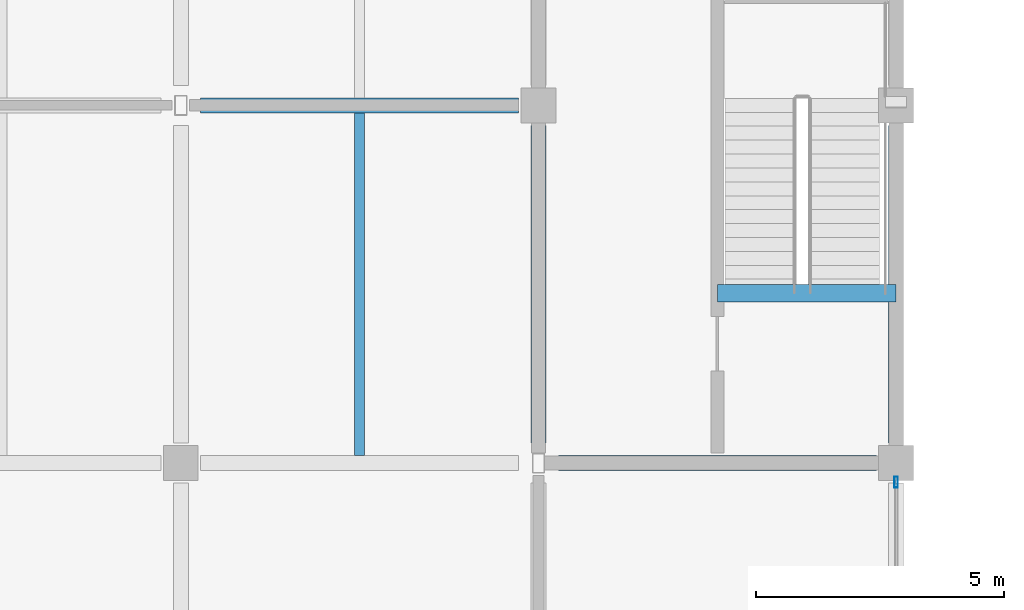
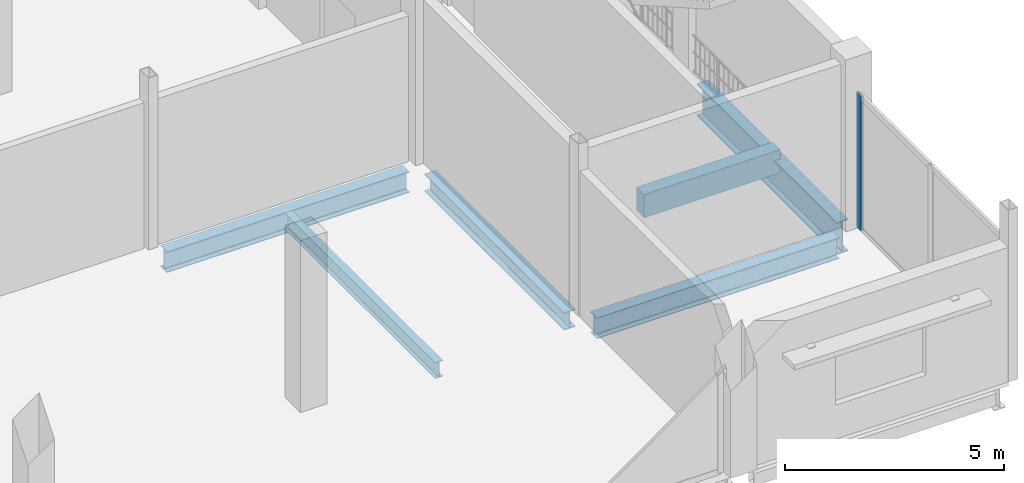
# One storey, part 68 of 120: 6 beams, 1 member, 1 element without a shape of its own.
"""IFC4 building model written with IfcOpenShell, lengths in metres."""

from ifc_helpers import new_model, si_unit, direction, frame, origin, origin_2d, place, context, subcontext, project, spatial, rectangle, hollow_rectangle, i_section, extrude, material, material_profile, profile_set, type_object, element, aggregate, save


model = new_model("IFC4")

# Units and contexts
model_context = context("Model", 3, precision=1e-05, world=origin(), true_north=direction((0.0, 1.0)))
body_context = subcontext(model_context, "Body", "Model", "MODEL_VIEW")
ifc_project = project(units=[si_unit("LENGTHUNIT", "METRE"), si_unit("AREAUNIT", "SQUARE_METRE"), si_unit("VOLUMEUNIT", "CUBIC_METRE"), si_unit("PLANEANGLEUNIT", "RADIAN"), si_unit("MASSUNIT", "GRAM", prefix="KILO")], contexts=[model_context])

# Site, building, storey
site_placement = place(None, origin())
site = spatial("IfcSite", under=ifc_project, at=site_placement, CompositionType="ELEMENT")
building_placement = place(site_placement, origin())
building = spatial("IfcBuilding", under=site, at=building_placement, Name="Vesperath Aquatics Centre", CompositionType="ELEMENT")
storey_placement = place(building_placement, frame((0.0, 0.0, 10.199951171875)))
storey = spatial("IfcBuildingStorey", under=building, at=storey_placement, Name="L02", CompositionType="ELEMENT", Elevation=10.199951171875)

# Beams
ifc_material_1 = material(Name="Concrete C35", Category="concrete")
ifc_material_profile_1 = material_profile(ifc_material_1, rectangle(XDim=0.35009765625, YDim=0.64990234375, at=origin_2d()), Name="RC 350x650")
ifc_profile_set_1 = profile_set([ifc_material_profile_1], Name="Concrete C35")
beam_type_1 = type_object("IfcBeamType", Name="BM-G05", PredefinedType="BEAM", material=ifc_profile_set_1)
beam_1_placement = place(storey_placement, frame((169.199951171875, 10.6201171875, -0.324951171875), z_axis=(1.0, 0.0, 0.0), x_axis=(0.0, 1.0, 0.0)))
element("IfcBeam", 1, at=beam_1_placement, inside=storey, type_object=beam_type_1, Name="Stair ST6 Landing Trimmer Beam B05 L02", PredefinedType="BEAM", context=body_context, shape_type="SweptSolid", body=[
    extrude(rectangle(XDim=0.35009765625, YDim=0.64990234375, at=origin_2d()), origin(), (0.0, 0.0, 1.0), 3.60009765625),
])
ifc_material_2 = material(Name="Steel Q355D", Category="steel")
ifc_material_profile_2 = material_profile(ifc_material_2, i_section(OverallWidth=0.300048828125, OverallDepth=0.89990234375, WebThickness=0.01611328125, FlangeThickness=0.028076171875, FilletRadius=0.028076171875, at=origin_2d()), Name="HN 900x300x16x28")
ifc_profile_set_2 = profile_set([ifc_material_profile_2], Name="Steel Q355D")
beam_type_2 = type_object("IfcBeamType", Name="BM-G06", PredefinedType="BEAM", material=ifc_profile_set_2)
beam_2_placement = place(storey_placement, frame((172.800048828125, 7.60009765625, -0.7099609375), z_axis=(0.0, 1.0, 0.0), x_axis=(-1.0, 0.0, 0.0)))
element("IfcBeam", 2, at=beam_2_placement, inside=storey, type_object=beam_type_2, Name="Floor Girder B06 L02 25 B-C", PredefinedType="BEAM", context=body_context, shape_type="SweptSolid", body=[
    extrude(i_section(OverallWidth=0.300048828125, OverallDepth=0.89990234375, WebThickness=0.01611328125, FlangeThickness=0.028076171875, FilletRadius=0.028076171875, at=origin_2d()), origin(), (0.0, 0.0, 1.0), 6.39990234375),
])
ifc_material_3 = material(Name="Steel Q355C", Category="steel")
ifc_material_profile_3 = material_profile(ifc_material_3, i_section(OverallWidth=0.300048828125, OverallDepth=0.587890625, WebThickness=0.011962890625, FlangeThickness=0.02001953125, FilletRadius=0.028076171875, at=origin_2d()), Name="HM 588x300x12x20")
ifc_profile_set_3 = profile_set([ifc_material_profile_3], Name="Steel Q355C")
beam_type_3 = type_object("IfcBeamType", Name="BM-G09", PredefinedType="BEAM", material=ifc_profile_set_3)
for number, where, z_axis, x_axis, name in (
    (3, (158.800048828125, 14.39990234375, -0.553955078125), (1.0, 0.0, 0.0), (0.0, 1.0, 0.0), "Floor Girder B09 L02 C 23-24"),
    (4, (166.0, 7.199951171875, -0.553955078125), (1.0, 0.0, 0.0), (0.0, 1.0, 0.0), "Floor Girder B09 L02 B 24-25"),
):
    element("IfcBeam", number, at=place(storey_placement, frame(where, z_axis=z_axis, x_axis=x_axis)), inside=storey, type_object=beam_type_3, Name=name, PredefinedType="BEAM", context=body_context, shape_type="SweptSolid", body=[
        extrude(i_section(OverallWidth=0.300048828125, OverallDepth=0.587890625, WebThickness=0.011962890625, FlangeThickness=0.02001953125, FilletRadius=0.028076171875, at=origin_2d()), origin(), (0.0, 0.0, 1.0), 6.39990234375),
    ])
ifc_material_profile_4 = material_profile(ifc_material_3, i_section(OverallWidth=0.300048828125, OverallDepth=0.488037109375, WebThickness=0.010986328125, FlangeThickness=0.01806640625, FilletRadius=0.02587890625, at=origin_2d()), Name="HM 488x300x11x18")
ifc_profile_set_4 = profile_set([ifc_material_profile_4], Name="Steel Q355C")
beam_type_4 = type_object("IfcBeamType", Name="BM-G10", PredefinedType="BEAM", material=ifc_profile_set_4)
beam_3_placement = place(storey_placement, frame((165.60009765625, 7.60009765625, -0.50390625), z_axis=(0.0, 1.0, 0.0), x_axis=(-1.0, 0.0, 0.0)))
element("IfcBeam", 5, at=beam_3_placement, inside=storey, type_object=beam_type_4, Name="Floor Girder B10 L02 24 B-C", PredefinedType="BEAM", context=body_context, shape_type="SweptSolid", body=[
    extrude(i_section(OverallWidth=0.300048828125, OverallDepth=0.488037109375, WebThickness=0.010986328125, FlangeThickness=0.01806640625, FilletRadius=0.02587890625, at=origin_2d()), origin(), (0.0, 0.0, 1.0), 6.39990234375),
])
ifc_material_profile_5 = material_profile(ifc_material_3, i_section(OverallWidth=0.199951171875, OverallDepth=0.449951171875, WebThickness=0.009033203125, FlangeThickness=0.013916015625, FilletRadius=0.01611328125, at=origin_2d()), Name="HN 450x200x9x14")
ifc_profile_set_5 = profile_set([ifc_material_profile_5], Name="Steel Q355C")
beam_type_5 = type_object("IfcBeamType", Name="BM-J03", PredefinedType="JOIST", material=ifc_profile_set_5)
beam_4_placement = place(storey_placement, frame((162.0, 7.35009765625, -0.48486328125), z_axis=(0.0, 1.0, 0.0), x_axis=(-1.0, 0.0, 0.0)))
element("IfcBeam", 6, at=beam_4_placement, inside=storey, type_object=beam_type_5, Name="Secondary Floor Joist J03 L02 23/B", PredefinedType="JOIST", context=body_context, shape_type="SweptSolid", body=[
    extrude(i_section(OverallWidth=0.199951171875, OverallDepth=0.449951171875, WebThickness=0.009033203125, FlangeThickness=0.013916015625, FilletRadius=0.01611328125, at=origin_2d()), origin(), (0.0, 0.0, 1.0), 6.89990234375),
])

# Curtain wall, member
ifc_material_4 = material(Name="Thermally broken anodised bronze aluminium curtain wall", Category="aluminium")
curtain_wall_type = type_object("IfcCurtainWallType", Name="CW-06", PredefinedType="NOTDEFINED", material=ifc_material_4)
curtain_wall_placement = place(storey_placement, origin())
curtain_wall = element("IfcCurtainWall", 7, at=curtain_wall_placement, inside=storey, type_object=curtain_wall_type, Name="Facade Curtain Wall CW06 L02_E_24_00", PredefinedType="NOTDEFINED")
ifc_material_5 = material(Name="Thermally broken anodised aluminium", Category="aluminium")
ifc_material_profile_6 = material_profile(ifc_material_5, hollow_rectangle(XDim=0.070068359375, YDim=0.219970703125, WallThickness=0.0048828125, at=origin_2d()), Name="CWM 70x220x5")
ifc_profile_set_6 = profile_set([ifc_material_profile_6], Name="Thermally broken anodised aluminium")
member_type = type_object("IfcMemberType", Name="MB-CWM2", PredefinedType="MULLION", material=ifc_profile_set_6)
member_placement = place(storey_placement, frame((172.800048828125, 6.81494140625, 0.0), z_axis=(0.0, 0.0, 1.0), x_axis=(-1.0, 0.0, 0.0)))
member = element("IfcMember", 8, at=member_placement, type_object=member_type, Name="CW06 mullion 3", PredefinedType="MULLION", context=body_context, shape_type="SweptSolid", body=[
    extrude(hollow_rectangle(XDim=0.070068359375, YDim=0.219970703125, WallThickness=0.0048828125, at=origin_2d()), origin(), (0.0, 0.0, 1.0), 3.760009765625),
])
aggregate(curtain_wall, [member])

save(model, "model.ifc")
